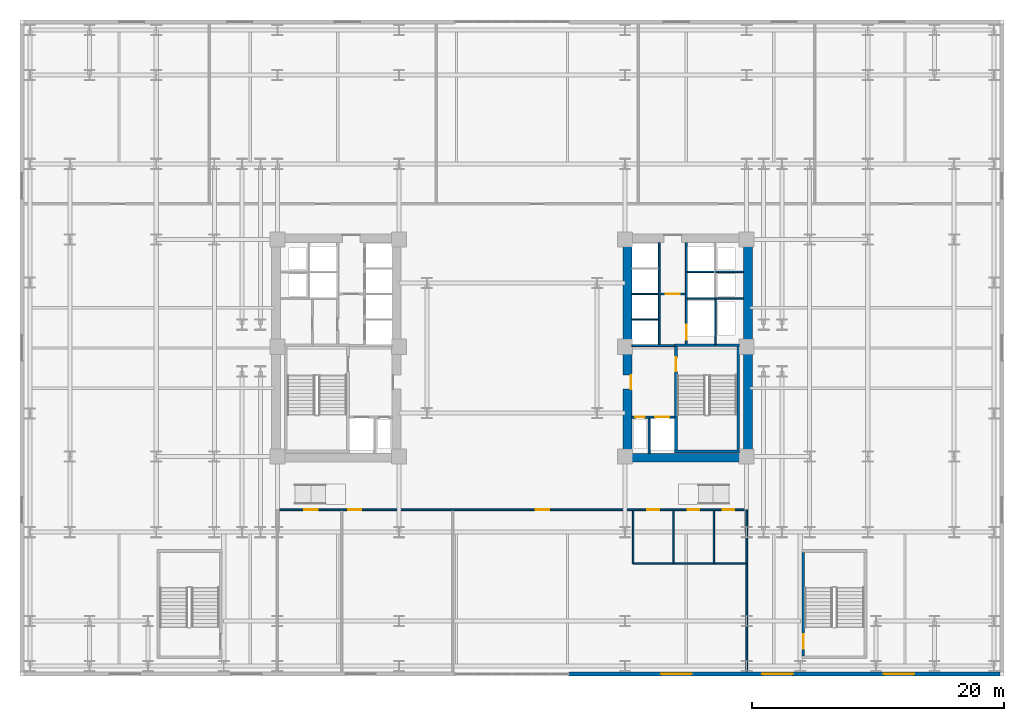
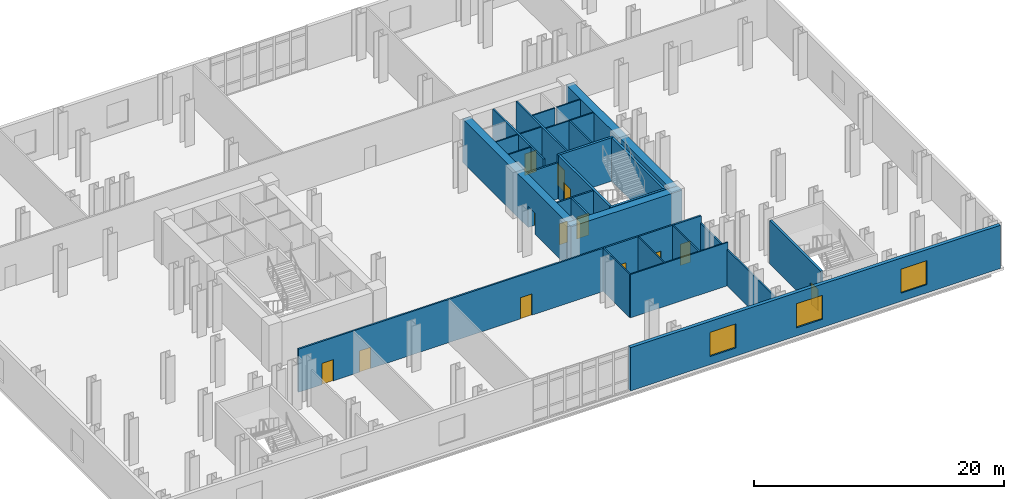
# One storey, part 9 of 13: 27 walls, 13 doors, 3 windows, 16 openings.
"""IFC4 building model written with IfcOpenShell, lengths in metres."""

from ifc_helpers import new_model, si_unit, direction, frame, frame_2d, origin, place, context, subcontext, project, spatial, rectangle, extrude, material, layer, layer_set, type_object, element, fill, save


model = new_model("IFC4")

# Units and contexts
model_context = context("Model", 3, precision=1e-05, world=origin(), true_north=direction((0.0, 1.0)))
body_context = subcontext(model_context, "Body", "Model", "MODEL_VIEW")
ifc_project = project(units=[si_unit("LENGTHUNIT", "METRE"), si_unit("AREAUNIT", "SQUARE_METRE"), si_unit("VOLUMEUNIT", "CUBIC_METRE"), si_unit("PLANEANGLEUNIT", "RADIAN"), si_unit("MASSUNIT", "GRAM", prefix="KILO")], contexts=[model_context])

# Site, building, storey
site_placement = place(None, origin())
site = spatial("IfcSite", under=ifc_project, at=site_placement, CompositionType="ELEMENT")
building_placement = place(site_placement, origin())
building = spatial("IfcBuilding", under=site, at=building_placement, Name="Velakula Bourse", CompositionType="ELEMENT")
storey_placement = place(building_placement, frame((0.0, 0.0, 5.10009765625)))
storey = spatial("IfcBuildingStorey", under=building, at=storey_placement, Name="L01", CompositionType="ELEMENT", Elevation=5.10009765625)

# Wall, opening, door
ifc_material_1 = material(Name="Concrete M50 (fck 50 MPa)", Category="concrete")
ifc_layer_1 = layer(ifc_material_1, 0.2099609375, Name="Concrete M50 (fck 50 MPa)", Category="concrete")
ifc_layer_set_1 = layer_set([ifc_layer_1], Name="Concrete M50 (fck 50 MPa)")
wall_type_1 = type_object("IfcWallType", Name="WL-CORE-210", PredefinedType="SHEAR", material=ifc_layer_set_1)
wall_1_placement = place(storey_placement, frame((12.9951171875, -8.10009765625, 0.0), z_axis=(0.0, 0.0, 1.0), x_axis=(0.0, 1.0, 0.0)))
wall_1 = element("IfcWall", 1, at=wall_1_placement, inside=storey, type_object=wall_type_1, Name="L01 Core E Stairwell Shear Wall IN", PredefinedType="SHEAR", context=body_context, shape_type="SweptSolid", body=[
    extrude(rectangle(XDim=8.2001953125, YDim=0.2099609375, at=frame_2d((4.10009765625, 0.0))), origin(), (0.0, 0.0, 1.0), 4.25),
])
opening_1_placement = place(wall_1_placement, frame((6.25, 0.0, 0.0)))
opening_1 = element("IfcOpeningElement", 2, at=opening_1_placement, cuts=wall_1, Name="Opening D-STE1", PredefinedType="OPENING", context=body_context, shape_type="SweptSolid", body=[
    extrude(rectangle(XDim=1.10009765625, YDim=2.14990234375, at=frame_2d((0.550048828125, 1.074951171875))), frame((0.0, 0.114990234375, 0.0), z_axis=(0.0, -1.0, 0.0), x_axis=(1.0, 0.0, 0.0)), (0.0, 0.0, 1.0), 0.22998046875),
])
ifc_material_2 = material(Name="Galvanised painted hollow steel fire door", Category="steel")
door_type_1 = type_object("IfcDoorType", Name="DR-FD120-1100x2150", OperationType="NOTDEFINED", PredefinedType="DOOR", material=ifc_material_2)
door_1_placement = place(opening_1_placement, origin())
door_1 = element("IfcDoor", 3, at=door_1_placement, inside=storey, type_object=door_type_1, Name="L01 Stair ST-E1 Fire Door", OperationType="SINGLE_SWING_RIGHT", OverallHeight=2.14990234375, OverallWidth=1.10009765625, PredefinedType="DOOR", context=body_context, shape_type="SweptSolid", body=[
    extrude(rectangle(XDim=1.10009765625, YDim=2.14990234375, at=frame_2d((0.550048828125, 1.074951171875))), frame((0.0, 0.02490234375, 0.0), z_axis=(0.0, -1.0, 0.0), x_axis=(1.0, 0.0, 0.0)), (0.0, 0.0, 1.0), 0.050048828125),
])
fill(opening_1, door_1)

# Walls
wall_2_placement = place(storey_placement, frame((17.925048828125, -8.10009765625, 0.0), z_axis=(0.0, 0.0, 1.0), x_axis=(0.0, 1.0, 0.0)))
element("IfcWall", 4, at=wall_2_placement, inside=storey, type_object=wall_type_1, Name="L01 Core E Stairwell Shear Wall OUT", PredefinedType="SHEAR", context=body_context, shape_type="SweptSolid", body=[
    extrude(rectangle(XDim=8.2001953125, YDim=0.2099609375, at=frame_2d((4.10009765625, 0.0))), origin(), (0.0, 0.0, 1.0), 4.25),
])
for number, where, z_axis, x_axis, name in (
    (5, (12.889892578125, -8.205078125, 0.0), (0.0, 0.0, 1.0), (1.0, 0.0, 0.0), "L01 Core E Stairwell Shear Wall S"),
    (6, (18.030029296875, 0.205078125, 0.0), (0.0, 0.0, 1.0), (-1.0, 0.0, 0.0), "L01 Core E Stairwell Shear Wall N"),
):
    element("IfcWall", number, at=place(storey_placement, frame(where, z_axis=z_axis, x_axis=x_axis)), inside=storey, type_object=wall_type_1, Name=name, PredefinedType="SHEAR", context=body_context, shape_type="SweptSolid", body=[
        extrude(rectangle(XDim=5.14013671875, YDim=0.2099609375, at=frame_2d((2.570068359375, 0.0))), origin(), (0.0, 0.0, 1.0), 4.25),
    ])

# Wall, opening, door
wall_3_placement = place(storey_placement, frame((23.094970703125, -24.39990234375, 0.0), z_axis=(0.0, 0.0, 1.0), x_axis=(0.0, 1.0, 0.0)))
wall_3 = element("IfcWall", 7, at=wall_3_placement, inside=storey, type_object=wall_type_1, Name="L01 Podium Stair ST-P2 Shear Wall W", PredefinedType="SHEAR", context=body_context, shape_type="SweptSolid", body=[
    extrude(rectangle(XDim=8.199951171875, YDim=0.2099609375, at=frame_2d((4.10009765625, 0.0))), origin(), (0.0, 0.0, 1.0), 4.25),
])
opening_2_placement = place(wall_3_placement, frame((0.550048828125, 0.0, 0.0)))
opening_2 = element("IfcOpeningElement", 8, at=opening_2_placement, cuts=wall_3, Name="Opening D-P2", PredefinedType="OPENING", context=body_context, shape_type="SweptSolid", body=[
    extrude(rectangle(XDim=1.14990234375, YDim=2.10009765625, at=frame_2d((0.574951171875, 1.050048828125))), frame((0.0, 0.114990234375, 0.0), z_axis=(0.0, -1.0, 0.0), x_axis=(1.0, 0.0, 0.0)), (0.0, 0.0, 1.0), 0.22998046875),
])
door_type_2 = type_object("IfcDoorType", Name="DR-FD120-1150x2100", OperationType="NOTDEFINED", PredefinedType="DOOR", material=ifc_material_2)
door_2_placement = place(opening_2_placement, origin())
door_2 = element("IfcDoor", 9, at=door_2_placement, inside=storey, type_object=door_type_2, Name="L01 Stair ST-P2 Fire Door", OperationType="SINGLE_SWING_RIGHT", OverallHeight=2.10009765625, OverallWidth=1.14990234375, PredefinedType="DOOR", context=body_context, shape_type="SweptSolid", body=[
    extrude(rectangle(XDim=1.14990234375, YDim=2.10009765625, at=frame_2d((0.574951171875, 1.050048828125))), frame((0.0, 0.02490234375, 0.0), z_axis=(0.0, -1.0, 0.0), x_axis=(1.0, 0.0, 0.0)), (0.0, 0.0, 1.0), 0.050048828125),
])
fill(opening_2, door_2)

# Wall
ifc_material_3 = material(Name="Concrete M70 (fck 70 MPa)", Category="concrete")
ifc_layer_2 = layer(ifc_material_3, 0.699951171875, Name="Concrete M70 (fck 70 MPa)", Category="concrete")
ifc_layer_set_2 = layer_set([ifc_layer_2], Name="Concrete M70 (fck 70 MPa)")
wall_type_2 = type_object("IfcWallType", Name="WL-CORE-700", PredefinedType="SHEAR", material=ifc_layer_set_2)
wall_4_placement = place(storey_placement, frame((8.800048828125, -8.699951171875, 0.0), z_axis=(0.0, 0.0, 1.0), x_axis=(1.0, 0.0, 0.0)))
element("IfcWall", 10, at=wall_4_placement, inside=storey, type_object=wall_type_2, Name="L01 Core E Shear Wall S", PredefinedType="SHEAR", context=body_context, shape_type="SweptSolid", body=[
    extrude(rectangle(XDim=10.25, YDim=0.699951171875, at=frame_2d((5.125, 0.0))), origin(), (0.0, 0.0, 1.0), 4.25),
])

# Wall, opening, door
wall_5_placement = place(storey_placement, frame((9.14990234375, -8.35009765625, 0.0), z_axis=(0.0, 0.0, 1.0), x_axis=(0.0, 1.0, 0.0)))
wall_5 = element("IfcWall", 11, at=wall_5_placement, inside=storey, type_object=wall_type_2, Name="L01 Core E Shear Wall W", PredefinedType="SHEAR", context=body_context, shape_type="SweptSolid", body=[
    extrude(rectangle(XDim=16.7001953125, YDim=0.699951171875, at=frame_2d((8.35009765625, 0.0))), origin(), (0.0, 0.0, 1.0), 4.25),
])
opening_3_placement = place(wall_5_placement, frame((5.10009765625, 0.0, 0.0)))
opening_3 = element("IfcOpeningElement", 12, at=opening_3_placement, cuts=wall_5, Name="Opening D-FLE", PredefinedType="OPENING", context=body_context, shape_type="SweptSolid", body=[
    extrude(rectangle(XDim=1.10009765625, YDim=2.080078125, at=frame_2d((0.550048828125, 1.0400390625))), frame((0.0, 0.35986328125, 0.0), z_axis=(0.0, -1.0, 0.0), x_axis=(1.0, 0.0, 0.0)), (0.0, 0.0, 1.0), 0.719970703125),
])
door_type_3 = type_object("IfcDoorType", Name="DR-FD120-1100", OperationType="NOTDEFINED", PredefinedType="DOOR", material=ifc_material_2)
door_3_placement = place(opening_3_placement, origin())
door_3 = element("IfcDoor", 13, at=door_3_placement, inside=storey, type_object=door_type_3, Name="L01 Firefighting Lobby E Corridor Fire Door", OperationType="SINGLE_SWING_RIGHT", OverallHeight=2.080078125, OverallWidth=1.10009765625, PredefinedType="DOOR", context=body_context, shape_type="SweptSolid", body=[
    extrude(rectangle(XDim=1.10009765625, YDim=2.080078125, at=frame_2d((0.550048828125, 1.0400390625))), frame((0.0, -0.2548828125, 0.0), z_axis=(0.0, -1.0, 0.0), x_axis=(1.0, 0.0, 0.0)), (0.0, 0.0, 1.0), 0.050048828125),
])
fill(opening_3, door_3)

# Wall
wall_6_placement = place(storey_placement, frame((18.699951171875, -8.35009765625, 0.0), z_axis=(0.0, 0.0, 1.0), x_axis=(0.0, 1.0, 0.0)))
element("IfcWall", 14, at=wall_6_placement, inside=storey, type_object=wall_type_2, Name="L01 Core E Shear Wall E", PredefinedType="SHEAR", context=body_context, shape_type="SweptSolid", body=[
    extrude(rectangle(XDim=16.7001953125, YDim=0.699951171875, at=frame_2d((8.35009765625, 0.0))), origin(), (0.0, 0.0, 1.0), 4.25),
])

# Wall, openings, windows
ifc_material_4 = material(Name="Red kilned clay facing brick masonry", Category="masonry")
ifc_layer_3 = layer(ifc_material_4, 0.320068359375, Name="Red kilned clay facing brick masonry", Category="masonry")
ifc_layer_set_3 = layer_set([ifc_layer_3], Name="Red kilned clay facing brick masonry")
wall_type_3 = type_object("IfcWallType", Name="WL-EXT-BRK-320", PredefinedType="STANDARD", material=ifc_layer_set_3)
wall_7_placement = place(storey_placement, frame((38.679931640625, -25.840087890625, 0.0), z_axis=(0.0, 0.0, 1.0), x_axis=(-1.0, 0.0, 0.0)))
wall_7 = element("IfcWall", 15, at=wall_7_placement, inside=storey, type_object=wall_type_3, Name="L01 South Brick Facade Wall 1", PredefinedType="STANDARD", context=body_context, shape_type="SweptSolid", body=[
    extrude(rectangle(XDim=34.179931640625, YDim=0.320068359375, at=frame_2d((17.08984375, 0.0))), origin(), (0.0, 0.0, 1.0), 4.22998046875),
])
opening_4_placement = place(wall_7_placement, frame((6.794921875, 0.0, 0.800048828125)))
opening_4 = element("IfcOpeningElement", 16, at=opening_4_placement, cuts=wall_7, Name="Opening W-06", PredefinedType="OPENING", context=body_context, shape_type="SweptSolid", body=[
    extrude(rectangle(XDim=2.39990234375, YDim=2.35009765625, at=frame_2d((1.199951171875, 1.175048828125))), frame((0.0, 0.169921875, 0.0), z_axis=(0.0, -1.0, 0.0), x_axis=(1.0, 0.0, 0.0)), (0.0, 0.0, 1.0), 0.340087890625),
])
opening_5_placement = place(wall_7_placement, frame((16.43994140625, 0.0, 0.800048828125)))
opening_5 = element("IfcOpeningElement", 17, at=opening_5_placement, cuts=wall_7, Name="Opening W-06", PredefinedType="OPENING", context=body_context, shape_type="SweptSolid", body=[
    extrude(rectangle(XDim=2.39990234375, YDim=2.35009765625, at=frame_2d((1.199951171875, 1.175048828125))), frame((0.0, 0.169921875, 0.0), z_axis=(0.0, -1.0, 0.0), x_axis=(1.0, 0.0, 0.0)), (0.0, 0.0, 1.0), 0.340087890625),
])
opening_6_placement = place(wall_7_placement, frame((24.43505859375, 0.0, 0.800048828125)))
opening_6 = element("IfcOpeningElement", 18, at=opening_6_placement, cuts=wall_7, Name="Opening W-06", PredefinedType="OPENING", context=body_context, shape_type="SweptSolid", body=[
    extrude(rectangle(XDim=2.39990234375, YDim=2.35009765625, at=frame_2d((1.199951171875, 1.175048828125))), frame((0.0, 0.169921875, 0.0), z_axis=(0.0, -1.0, 0.0), x_axis=(1.0, 0.0, 0.0)), (0.0, 0.0, 1.0), 0.340087890625),
])
ifc_material_5 = material(Name="Double-glazed solar-control Low-E glass", Category="glass")
window_type = type_object("IfcWindowType", Name="WIN-POD-2400x2600", PartitioningType="DOUBLE_PANEL_VERTICAL", PredefinedType="WINDOW", material=ifc_material_5)
window_1_placement = place(opening_4_placement, origin())
window_1 = element("IfcWindow", 19, at=window_1_placement, inside=storey, type_object=window_type, Name="L01 Deep-Set Recessed Window 1", OverallHeight=2.35009765625, OverallWidth=2.39990234375, PartitioningType="DOUBLE_PANEL_VERTICAL", PredefinedType="WINDOW", context=body_context, shape_type="SweptSolid", body=[
    extrude(rectangle(XDim=2.39990234375, YDim=2.35009765625, at=frame_2d((1.199951171875, 1.175048828125))), frame((0.0, 0.030029296875, 0.0), z_axis=(0.0, -1.0, 0.0), x_axis=(1.0, 0.0, 0.0)), (0.0, 0.0, 1.0), 0.06005859375),
])
fill(opening_4, window_1)
window_2_placement = place(opening_5_placement, origin())
window_2 = element("IfcWindow", 20, at=window_2_placement, inside=storey, type_object=window_type, Name="L01 Deep-Set Recessed Window 2", OverallHeight=2.35009765625, OverallWidth=2.39990234375, PartitioningType="DOUBLE_PANEL_VERTICAL", PredefinedType="WINDOW", context=body_context, shape_type="SweptSolid", body=[
    extrude(rectangle(XDim=2.39990234375, YDim=2.35009765625, at=frame_2d((1.199951171875, 1.175048828125))), frame((0.0, 0.030029296875, 0.0), z_axis=(0.0, -1.0, 0.0), x_axis=(1.0, 0.0, 0.0)), (0.0, 0.0, 1.0), 0.06005859375),
])
fill(opening_5, window_2)
window_3_placement = place(opening_6_placement, origin())
window_3 = element("IfcWindow", 21, at=window_3_placement, inside=storey, type_object=window_type, Name="L01 Deep-Set Recessed Window 3", OverallHeight=2.35009765625, OverallWidth=2.39990234375, PartitioningType="DOUBLE_PANEL_VERTICAL", PredefinedType="WINDOW", context=body_context, shape_type="SweptSolid", body=[
    extrude(rectangle(XDim=2.39990234375, YDim=2.35009765625, at=frame_2d((1.199951171875, 1.175048828125))), frame((0.0, 0.030029296875, 0.0), z_axis=(0.0, -1.0, 0.0), x_axis=(1.0, 0.0, 0.0)), (0.0, 0.0, 1.0), 0.06005859375),
])
fill(opening_6, window_3)

# Wall, opening, door
ifc_material_6 = material(Name="Fire-rated double-layer gypsum drywall partition", Category="gypsum")
ifc_layer_4 = layer(ifc_material_6, 0.1201171875, Name="Fire-rated double-layer gypsum drywall partition", Category="gypsum")
ifc_layer_set_4 = layer_set([ifc_layer_4], Name="Fire-rated double-layer gypsum drywall partition")
wall_type_4 = type_object("IfcWallType", Name="WL-PART-120", PredefinedType="STANDARD", material=ifc_layer_set_4)
wall_8_placement = place(storey_placement, frame((11.75, 4.280029296875, 0.0), z_axis=(0.0, 0.0, 1.0), x_axis=(1.0, 0.0, 0.0)))
wall_8 = element("IfcWall", 22, at=wall_8_placement, inside=storey, type_object=wall_type_4, Name="L01 Interior Partition WL-CRE-L01-LL-K2", PredefinedType="STANDARD", context=body_context, shape_type="SweptSolid", body=[
    extrude(rectangle(XDim=2.0, YDim=0.1201171875, at=frame_2d((1.0, 0.0))), origin(), (0.0, 0.0, 1.0), 4.22998046875),
])
opening_7_placement = place(wall_8_placement, frame((0.449951171875, 0.0, 0.0)))
opening_7 = element("IfcOpeningElement", 23, at=opening_7_placement, cuts=wall_8, Name="Opening D-LK2", PredefinedType="OPENING", context=body_context, shape_type="SweptSolid", body=[
    extrude(rectangle(XDim=1.10009765625, YDim=2.10009765625, at=frame_2d((0.550048828125, 1.050048828125))), frame((0.0, 0.070068359375, 0.0), z_axis=(0.0, -1.0, 0.0), x_axis=(1.0, 0.0, 0.0)), (0.0, 0.0, 1.0), 0.14013671875),
])
ifc_material_7 = material(Name="Fire-rated hardwood flush architectural door", Category="wood")
door_type_4 = type_object("IfcDoorType", Name="DR-FD60-1100x2100", OperationType="NOTDEFINED", PredefinedType="DOOR", material=ifc_material_7)
door_4_placement = place(opening_7_placement, origin())
door_4 = element("IfcDoor", 24, at=door_4_placement, inside=storey, type_object=door_type_4, Name="L01 Core E Lift Lobby Zone Door", OperationType="SINGLE_SWING_LEFT", OverallHeight=2.10009765625, OverallWidth=1.10009765625, PredefinedType="DOOR", context=body_context, shape_type="SweptSolid", body=[
    extrude(rectangle(XDim=1.10009765625, YDim=2.10009765625, at=frame_2d((0.550048828125, 1.050048828125))), frame((0.0, 0.02490234375, 0.0), z_axis=(0.0, -1.0, 0.0), x_axis=(1.0, 0.0, 0.0)), (0.0, 0.0, 1.0), 0.050048828125),
])
fill(opening_7, door_4)

# Walls
for number, where, z_axis, x_axis, name in (
    (25, (9.5, 2.2548828125, 0.0), (0.0, 0.0, 1.0), (1.0, 0.0, 0.0), "L01 Interior Partition WL-CRE-L01-BDIV-0"),
    (26, (9.5, 4.284912109375, 0.0), (0.0, 0.0, 1.0), (1.0, 0.0, 0.0), "L01 Interior Partition WL-CRE-L01-BDIV-1"),
):
    element("IfcWall", number, at=place(storey_placement, frame(where, z_axis=z_axis, x_axis=x_axis)), inside=storey, type_object=wall_type_4, Name=name, PredefinedType="STANDARD", context=body_context, shape_type="SweptSolid", body=[
        extrude(rectangle(XDim=2.10009765625, YDim=0.110107421875, at=frame_2d((1.050048828125, 0.0))), origin(), (0.0, 0.0, 1.0), 4.22998046875),
    ])
wall_9_placement = place(storey_placement, frame((13.89990234375, 3.919921875, 0.0), z_axis=(0.0, 0.0, 1.0), x_axis=(1.0, 0.0, 0.0)))
element("IfcWall", 27, at=wall_9_placement, inside=storey, type_object=wall_type_4, Name="L01 Interior Partition WL-CRE-L01-HI-S", PredefinedType="STANDARD", context=body_context, shape_type="SweptSolid", body=[
    extrude(rectangle(XDim=4.4501953125, YDim=0.1201171875, at=frame_2d((2.22509765625, 0.0))), origin(), (0.0, 0.0, 1.0), 4.22998046875),
])
wall_10_placement = place(storey_placement, frame((16.14990234375, 6.030029296875, 0.0), z_axis=(0.0, 0.0, 1.0), x_axis=(1.0, 0.0, 0.0)))
element("IfcWall", 28, at=wall_10_placement, inside=storey, type_object=wall_type_4, Name="L01 Interior Partition WL-CRE-L01-RIS-MID", PredefinedType="STANDARD", context=body_context, shape_type="SweptSolid", body=[
    extrude(rectangle(XDim=2.2001953125, YDim=0.1201171875, at=frame_2d((1.10009765625, 0.0))), origin(), (0.0, 0.0, 1.0), 4.22998046875),
])
wall_11_placement = place(storey_placement, frame((13.89990234375, 6.030029296875, 0.0), z_axis=(0.0, 0.0, 1.0), x_axis=(1.0, 0.0, 0.0)))
element("IfcWall", 29, at=wall_11_placement, inside=storey, type_object=wall_type_4, Name="L01 Interior Partition WL-CRE-L01-HI-DIV", PredefinedType="STANDARD", context=body_context, shape_type="SweptSolid", body=[
    extrude(rectangle(XDim=2.10009765625, YDim=0.1201171875, at=frame_2d((1.050048828125, 0.0))), origin(), (0.0, 0.0, 1.0), 4.22998046875),
])
wall_12_placement = place(storey_placement, frame((16.125, 0.27001953125, 0.0), z_axis=(0.0, 0.0, 1.0), x_axis=(0.0, 1.0, 0.0)))
element("IfcWall", 30, at=wall_12_placement, inside=storey, type_object=wall_type_4, Name="L01 Interior Partition WL-CRE-L01-SVL-E", PredefinedType="STANDARD", context=body_context, shape_type="SweptSolid", body=[
    extrude(rectangle(XDim=3.590087890625, YDim=0.1201171875, at=frame_2d((1.794921875, 0.0))), origin(), (0.0, 0.0, 1.0), 4.22998046875),
])
ifc_layer_5 = layer(ifc_material_6, 0.139892578125, Name="Fire-rated double-layer gypsum drywall partition", Category="gypsum")
ifc_layer_set_5 = layer_set([ifc_layer_5], Name="Fire-rated double-layer gypsum drywall partition")
wall_type_5 = type_object("IfcWallType", Name="WL-PART-140", PredefinedType="STANDARD", material=ifc_layer_set_5)
wall_13_placement = place(storey_placement, frame((18.60009765625, -25.679931640625, 0.0), z_axis=(0.0, 0.0, 1.0), x_axis=(0.0, 1.0, 0.0)))
element("IfcWall", 31, at=wall_13_placement, inside=storey, type_object=wall_type_5, Name="L01 Interior Partition WL-POD-L01-SE-END", PredefinedType="STANDARD", context=body_context, shape_type="SweptSolid", body=[
    extrude(rectangle(XDim=12.85986328125, YDim=0.139892578125, at=frame_2d((6.429931640625, 0.0))), origin(), (0.0, 0.0, 1.0), 3.52490234375),
])

# Wall, openings, doors
wall_14_placement = place(storey_placement, frame((-18.60009765625, -12.820068359375, 0.0), z_axis=(0.0, 0.0, 1.0), x_axis=(1.0, 0.0, 0.0)))
wall_14 = element("IfcWall", 32, at=wall_14_placement, inside=storey, type_object=wall_type_5, Name="L01 Interior Partition WL-POD-L01-S-CORR", PredefinedType="STANDARD", context=body_context, shape_type="SweptSolid", body=[
    extrude(rectangle(XDim=37.2001953125, YDim=0.14990234375, at=frame_2d((18.60009765625, 0.0))), origin(), (0.0, 0.0, 1.0), 4.22998046875),
])
opening_8_placement = place(wall_14_placement, frame((29.340087890625, 0.0, 0.0)))
opening_8 = element("IfcOpeningElement", 33, at=opening_8_placement, cuts=wall_14, Name="Opening D-WT1", PredefinedType="OPENING", context=body_context, shape_type="SweptSolid", body=[
    extrude(rectangle(XDim=0.919921875, YDim=2.080078125, at=frame_2d((0.4599609375, 1.0400390625))), frame((0.0, 0.0849609375, 0.0), z_axis=(0.0, -1.0, 0.0), x_axis=(1.0, 0.0, 0.0)), (0.0, 0.0, 1.0), 0.169921875),
])
opening_9_placement = place(wall_14_placement, frame((32.5400390625, 0.0, 0.0)))
opening_9 = element("IfcOpeningElement", 34, at=opening_9_placement, cuts=wall_14, Name="Opening D-WT1", PredefinedType="OPENING", context=body_context, shape_type="SweptSolid", body=[
    extrude(rectangle(XDim=0.919921875, YDim=2.080078125, at=frame_2d((0.4599609375, 1.0400390625))), frame((0.0, 0.0849609375, 0.0), z_axis=(0.0, -1.0, 0.0), x_axis=(1.0, 0.0, 0.0)), (0.0, 0.0, 1.0), 0.169921875),
])
opening_10_placement = place(wall_14_placement, frame((35.31396484375, 0.0, 0.0)))
opening_10 = element("IfcOpeningElement", 35, at=opening_10_placement, cuts=wall_14, Name="Opening D-WC1", PredefinedType="OPENING", context=body_context, shape_type="SweptSolid", body=[
    extrude(rectangle(XDim=0.919921875, YDim=2.080078125, at=frame_2d((0.4599609375, 1.0400390625))), frame((0.0, 0.0849609375, 0.0), z_axis=(0.0, -1.0, 0.0), x_axis=(1.0, 0.0, 0.0)), (0.0, 0.0, 1.0), 0.169921875),
])
opening_11_placement = place(wall_14_placement, frame((2.15087890625, 0.0, 0.0)))
opening_11 = element("IfcOpeningElement", 36, at=opening_11_placement, cuts=wall_14, Name="Opening D-PD2", PredefinedType="OPENING", context=body_context, shape_type="SweptSolid", body=[
    extrude(rectangle(XDim=1.050048828125, YDim=2.080078125, at=frame_2d((0.52490234375, 1.0400390625))), frame((0.0, 0.0849609375, 0.0), z_axis=(0.0, -1.0, 0.0), x_axis=(1.0, 0.0, 0.0)), (0.0, 0.0, 1.0), 0.169921875),
])
opening_12_placement = place(wall_14_placement, frame((5.60302734375, 0.0, 0.0)))
opening_12 = element("IfcOpeningElement", 37, at=opening_12_placement, cuts=wall_14, Name="Opening D-PD2", PredefinedType="OPENING", context=body_context, shape_type="SweptSolid", body=[
    extrude(rectangle(XDim=1.050048828125, YDim=2.080078125, at=frame_2d((0.52490234375, 1.0400390625))), frame((0.0, 0.0849609375, 0.0), z_axis=(0.0, -1.0, 0.0), x_axis=(1.0, 0.0, 0.0)), (0.0, 0.0, 1.0), 0.169921875),
])
opening_13_placement = place(wall_14_placement, frame((20.4951171875, 0.0, 0.0)))
opening_13 = element("IfcOpeningElement", 38, at=opening_13_placement, cuts=wall_14, Name="Opening D-PD2", PredefinedType="OPENING", context=body_context, shape_type="SweptSolid", body=[
    extrude(rectangle(XDim=1.050048828125, YDim=2.080078125, at=frame_2d((0.52490234375, 1.0400390625))), frame((0.0, 0.0849609375, 0.0), z_axis=(0.0, -1.0, 0.0), x_axis=(1.0, 0.0, 0.0)), (0.0, 0.0, 1.0), 0.169921875),
])
door_type_5 = type_object("IfcDoorType", Name="DR-OFF-1050", OperationType="NOTDEFINED", PredefinedType="DOOR", material=ifc_material_7)
door_5_placement = place(opening_11_placement, origin())
door_5 = element("IfcDoor", 39, at=door_5_placement, inside=storey, type_object=door_type_5, Name="L01 Investor Services Reception Door", OperationType="SINGLE_SWING_LEFT", OverallHeight=2.080078125, OverallWidth=1.050048828125, PredefinedType="DOOR", context=body_context, shape_type="SweptSolid", body=[
    extrude(rectangle(XDim=1.050048828125, YDim=2.080078125, at=frame_2d((0.52490234375, 1.0400390625))), frame((0.0, 0.02490234375, 0.0), z_axis=(0.0, -1.0, 0.0), x_axis=(1.0, 0.0, 0.0)), (0.0, 0.0, 1.0), 0.050048828125),
])
fill(opening_11, door_5)
door_6_placement = place(opening_12_placement, origin())
door_6 = element("IfcDoor", 40, at=door_6_placement, inside=storey, type_object=door_type_5, Name="L01 Transit Security Control Office Door", OperationType="SINGLE_SWING_RIGHT", OverallHeight=2.080078125, OverallWidth=1.050048828125, PredefinedType="DOOR", context=body_context, shape_type="SweptSolid", body=[
    extrude(rectangle(XDim=1.050048828125, YDim=2.080078125, at=frame_2d((0.52490234375, 1.0400390625))), frame((0.0, 0.02490234375, 0.0), z_axis=(0.0, -1.0, 0.0), x_axis=(1.0, 0.0, 0.0)), (0.0, 0.0, 1.0), 0.050048828125),
])
fill(opening_12, door_6)
door_7_placement = place(opening_13_placement, origin())
door_7 = element("IfcDoor", 41, at=door_7_placement, inside=storey, type_object=door_type_5, Name="L01 Conference Briefing Room Door", OperationType="SINGLE_SWING_LEFT", OverallHeight=2.080078125, OverallWidth=1.050048828125, PredefinedType="DOOR", context=body_context, shape_type="SweptSolid", body=[
    extrude(rectangle(XDim=1.050048828125, YDim=2.080078125, at=frame_2d((0.52490234375, 1.0400390625))), frame((0.0, 0.02490234375, 0.0), z_axis=(0.0, -1.0, 0.0), x_axis=(1.0, 0.0, 0.0)), (0.0, 0.0, 1.0), 0.050048828125),
])
fill(opening_13, door_7)
door_type_6 = type_object("IfcDoorType", Name="DR-WC-950", OperationType="NOTDEFINED", PredefinedType="DOOR", material=ifc_material_7)
door_8_placement = place(opening_8_placement, origin())
door_8 = element("IfcDoor", 42, at=door_8_placement, inside=storey, type_object=door_type_6, Name="L01 Male Public Toilet Door", OperationType="SINGLE_SWING_RIGHT", OverallHeight=2.080078125, OverallWidth=0.919921875, PredefinedType="DOOR", context=body_context, shape_type="SweptSolid", body=[
    extrude(rectangle(XDim=0.919921875, YDim=2.080078125, at=frame_2d((0.4599609375, 1.0400390625))), frame((0.0, 0.02490234375, 0.0), z_axis=(0.0, -1.0, 0.0), x_axis=(1.0, 0.0, 0.0)), (0.0, 0.0, 1.0), 0.050048828125),
])
fill(opening_8, door_8)
door_9_placement = place(opening_9_placement, origin())
door_9 = element("IfcDoor", 43, at=door_9_placement, inside=storey, type_object=door_type_6, Name="L01 Female Public Toilet Door", OperationType="SINGLE_SWING_LEFT", OverallHeight=2.080078125, OverallWidth=0.919921875, PredefinedType="DOOR", context=body_context, shape_type="SweptSolid", body=[
    extrude(rectangle(XDim=0.919921875, YDim=2.080078125, at=frame_2d((0.4599609375, 1.0400390625))), frame((0.0, 0.02490234375, 0.0), z_axis=(0.0, -1.0, 0.0), x_axis=(1.0, 0.0, 0.0)), (0.0, 0.0, 1.0), 0.050048828125),
])
fill(opening_9, door_9)
door_10_placement = place(opening_10_placement, origin())
door_10 = element("IfcDoor", 44, at=door_10_placement, inside=storey, type_object=door_type_6, Name="L01 Accessible WC Door", OperationType="SINGLE_SWING_RIGHT", OverallHeight=2.080078125, OverallWidth=0.919921875, PredefinedType="DOOR", context=body_context, shape_type="SweptSolid", body=[
    extrude(rectangle(XDim=0.919921875, YDim=2.080078125, at=frame_2d((0.4599609375, 1.0400390625))), frame((0.0, 0.02490234375, 0.0), z_axis=(0.0, -1.0, 0.0), x_axis=(1.0, 0.0, 0.0)), (0.0, 0.0, 1.0), 0.050048828125),
])
fill(opening_10, door_10)

# Walls
wall_15_placement = place(storey_placement, frame((9.60009765625, -17.10009765625, 0.0), z_axis=(0.0, 0.0, 1.0), x_axis=(1.0, 0.0, 0.0)))
element("IfcWall", 45, at=wall_15_placement, inside=storey, type_object=wall_type_5, Name="L01 Interior Partition WL-POD-L01-WC-BACK", PredefinedType="STANDARD", context=body_context, shape_type="SweptSolid", body=[
    extrude(rectangle(XDim=9.0, YDim=0.1201171875, at=frame_2d((4.5, 0.0))), origin(), (0.0, 0.0, 1.0), 4.22998046875),
])
for number, where, z_axis, x_axis, name in (
    (46, (9.60009765625, -17.10009765625, 0.0), (0.0, 0.0, 1.0), (0.0, 1.0, 0.0), "L01 Interior Partition WL-POD-L01-WC-V1"),
    (47, (12.800048828125, -17.10009765625, 0.0), (0.0, 0.0, 1.0), (0.0, 1.0, 0.0), "L01 Interior Partition WL-POD-L01-WC-V2"),
    (48, (16.0, -17.10009765625, 0.0), (0.0, 0.0, 1.0), (0.0, 1.0, 0.0), "L01 Interior Partition WL-POD-L01-WC-V3"),
):
    element("IfcWall", number, at=place(storey_placement, frame(where, z_axis=z_axis, x_axis=x_axis)), inside=storey, type_object=wall_type_5, Name=name, PredefinedType="STANDARD", context=body_context, shape_type="SweptSolid", body=[
        extrude(rectangle(XDim=4.210205078125, YDim=0.1201171875, at=frame_2d((2.10498046875, 0.0))), origin(), (0.0, 0.0, 1.0), 4.22998046875),
    ])

# Wall, openings, doors
ifc_material_8 = material(Name="Autoclaved aerated concrete blockwork masonry", Category="masonry")
ifc_layer_6 = layer(ifc_material_8, 0.14990234375, Name="Autoclaved aerated concrete blockwork masonry", Category="masonry")
ifc_layer_set_6 = layer_set([ifc_layer_6], Name="Autoclaved aerated concrete blockwork masonry")
wall_type_6 = type_object("IfcWallType", Name="WL-SHAFT-150", PredefinedType="STANDARD", material=ifc_layer_set_6)
wall_16_placement = place(storey_placement, frame((9.5, -5.47509765625, 0.0), z_axis=(0.0, 0.0, 1.0), x_axis=(1.0, 0.0, 0.0)))
wall_16 = element("IfcWall", 49, at=wall_16_placement, inside=storey, type_object=wall_type_6, Name="L01 Interior Partition WL-CRE-L01-FFL-N", PredefinedType="STANDARD", context=body_context, shape_type="SweptSolid", body=[
    extrude(rectangle(XDim=3.39501953125, YDim=0.14990234375, at=frame_2d((1.697509765625, 0.0))), origin(), (0.0, 0.0, 1.0), 4.22998046875),
])
opening_14_placement = place(wall_16_placement, frame((1.875, 0.0, 0.0)))
opening_14 = element("IfcOpeningElement", 50, at=opening_14_placement, cuts=wall_16, Name="Opening LD-FFL-2", PredefinedType="OPENING", context=body_context, shape_type="SweptSolid", body=[
    extrude(rectangle(XDim=1.10009765625, YDim=2.14990234375, at=frame_2d((0.550048828125, 1.074951171875))), frame((0.0, 0.0849609375, 0.0), z_axis=(0.0, -1.0, 0.0), x_axis=(1.0, 0.0, 0.0)), (0.0, 0.0, 1.0), 0.169921875),
])
opening_15_placement = place(wall_16_placement, frame((0.27490234375, 0.0, 0.0)))
opening_15 = element("IfcOpeningElement", 51, at=opening_15_placement, cuts=wall_16, Name="Opening D-RS1", PredefinedType="OPENING", context=body_context, shape_type="SweptSolid", body=[
    extrude(rectangle(XDim=0.75, YDim=2.050048828125, at=frame_2d((0.375, 1.02490234375))), frame((0.0, 0.0849609375, 0.0), z_axis=(0.0, -1.0, 0.0), x_axis=(1.0, 0.0, 0.0)), (0.0, 0.0, 1.0), 0.169921875),
])
door_type_7 = type_object("IfcDoorType", Name="DR-RISER-800", OperationType="NOTDEFINED", PredefinedType="DOOR", material=ifc_material_2)
door_11_placement = place(opening_15_placement, origin())
door_11 = element("IfcDoor", 52, at=door_11_placement, inside=storey, type_object=door_type_7, Name="L01 Fire Riser Access Door", OperationType="SINGLE_SWING_LEFT", OverallHeight=2.050048828125, OverallWidth=0.75, PredefinedType="DOOR", context=body_context, shape_type="SweptSolid", body=[
    extrude(rectangle(XDim=0.75, YDim=2.050048828125, at=frame_2d((0.375, 1.02490234375))), frame((0.0, 0.02490234375, 0.0), z_axis=(0.0, -1.0, 0.0), x_axis=(1.0, 0.0, 0.0)), (0.0, 0.0, 1.0), 0.050048828125),
])
fill(opening_15, door_11)
ifc_material_9 = material(Name="Brushed grade 316 stainless steel", Category="steel")
door_type_8 = type_object("IfcDoorType", Name="DR-SLIDE-FFL-1100", OperationType="DOUBLE_DOOR_SLIDING", PredefinedType="DOOR", material=ifc_material_9)
door_12_placement = place(opening_14_placement, origin())
door_12 = element("IfcDoor", 53, at=door_12_placement, inside=storey, type_object=door_type_8, Name="L01 Firefighting Lift FFL-2 Sliding Landing Door", OperationType="DOUBLE_DOOR_SLIDING", OverallHeight=2.14990234375, OverallWidth=1.10009765625, PredefinedType="DOOR", context=body_context, shape_type="SweptSolid", body=[
    extrude(rectangle(XDim=1.10009765625, YDim=2.14990234375, at=frame_2d((0.550048828125, 1.074951171875))), frame((0.0, 0.02490234375, 0.0), z_axis=(0.0, -1.0, 0.0), x_axis=(1.0, 0.0, 0.0)), (0.0, 0.0, 1.0), 0.050048828125),
])
fill(opening_14, door_12)

# Walls
wall_17_placement = place(storey_placement, frame((10.875, -8.35009765625, 0.0), z_axis=(0.0, 0.0, 1.0), x_axis=(0.0, 1.0, 0.0)))
element("IfcWall", 54, at=wall_17_placement, inside=storey, type_object=wall_type_6, Name="L01 Interior Partition WL-CRE-L01-FR-DIV", PredefinedType="STANDARD", context=body_context, shape_type="SweptSolid", body=[
    extrude(rectangle(XDim=2.800048828125, YDim=0.14990234375, at=frame_2d((1.39990234375, 0.0))), origin(), (0.0, 0.0, 1.0), 4.22998046875),
])
wall_18_placement = place(storey_placement, frame((9.5, 0.18994140625, 0.0), z_axis=(0.0, 0.0, 1.0), x_axis=(1.0, 0.0, 0.0)))
element("IfcWall", 55, at=wall_18_placement, inside=storey, type_object=wall_type_6, Name="L01 Interior Partition WL-CRE-L01-FF-TOP", PredefinedType="STANDARD", context=body_context, shape_type="SweptSolid", body=[
    extrude(rectangle(XDim=3.389892578125, YDim=0.14990234375, at=frame_2d((1.69482421875, 0.0))), origin(), (0.0, 0.0, 1.0), 3.52490234375),
])
wall_19_placement = place(storey_placement, frame((11.675048828125, 0.27001953125, 0.0), z_axis=(0.0, 0.0, 1.0), x_axis=(0.0, 1.0, 0.0)))
element("IfcWall", 56, at=wall_19_placement, inside=storey, type_object=wall_type_6, Name="L01 Interior Partition WL-CRE-L01-BANK-F", PredefinedType="STANDARD", context=body_context, shape_type="SweptSolid", body=[
    extrude(rectangle(XDim=8.080078125, YDim=0.14990234375, at=frame_2d((4.0400390625, 0.0))), origin(), (0.0, 0.0, 1.0), 4.22998046875),
])

# Wall, opening, door
wall_20_placement = place(storey_placement, frame((13.824951171875, 0.27001953125, 0.0), z_axis=(0.0, 0.0, 1.0), x_axis=(0.0, 1.0, 0.0)))
wall_20 = element("IfcWall", 57, at=wall_20_placement, inside=storey, type_object=wall_type_6, Name="L01 Interior Partition WL-CRE-L01-OUT-F", PredefinedType="STANDARD", context=body_context, shape_type="SweptSolid", body=[
    extrude(rectangle(XDim=8.080078125, YDim=0.14990234375, at=frame_2d((4.0400390625, 0.0))), origin(), (0.0, 0.0, 1.0), 4.22998046875),
])
opening_16_placement = place(wall_20_placement, frame((0.3798828125, 0.0, 0.0)))
opening_16 = element("IfcOpeningElement", 58, at=opening_16_placement, cuts=wall_20, Name="Opening LD-SVL1", PredefinedType="OPENING", context=body_context, shape_type="SweptSolid", body=[
    extrude(rectangle(XDim=1.199951171875, YDim=2.10009765625, at=frame_2d((0.60009765625, 1.050048828125))), frame((0.0, 0.0849609375, 0.0), z_axis=(0.0, -1.0, 0.0), x_axis=(1.0, 0.0, 0.0)), (0.0, 0.0, 1.0), 0.169921875),
])
door_type_9 = type_object("IfcDoorType", Name="DR-SLIDE-LD-1200", OperationType="DOUBLE_DOOR_SLIDING", PredefinedType="DOOR", material=ifc_material_9)
door_13_placement = place(opening_16_placement, origin())
door_13 = element("IfcDoor", 59, at=door_13_placement, inside=storey, type_object=door_type_9, Name="L01 Service Lift SVL-1 Sliding Landing Door", OperationType="DOUBLE_DOOR_SLIDING", OverallHeight=2.10009765625, OverallWidth=1.199951171875, PredefinedType="DOOR", context=body_context, shape_type="SweptSolid", body=[
    extrude(rectangle(XDim=1.199951171875, YDim=2.10009765625, at=frame_2d((0.60009765625, 1.050048828125))), frame((0.0, 0.02490234375, 0.0), z_axis=(0.0, -1.0, 0.0), x_axis=(1.0, 0.0, 0.0)), (0.0, 0.0, 1.0), 0.050048828125),
])
fill(opening_16, door_13)

save(model, "model.ifc")
